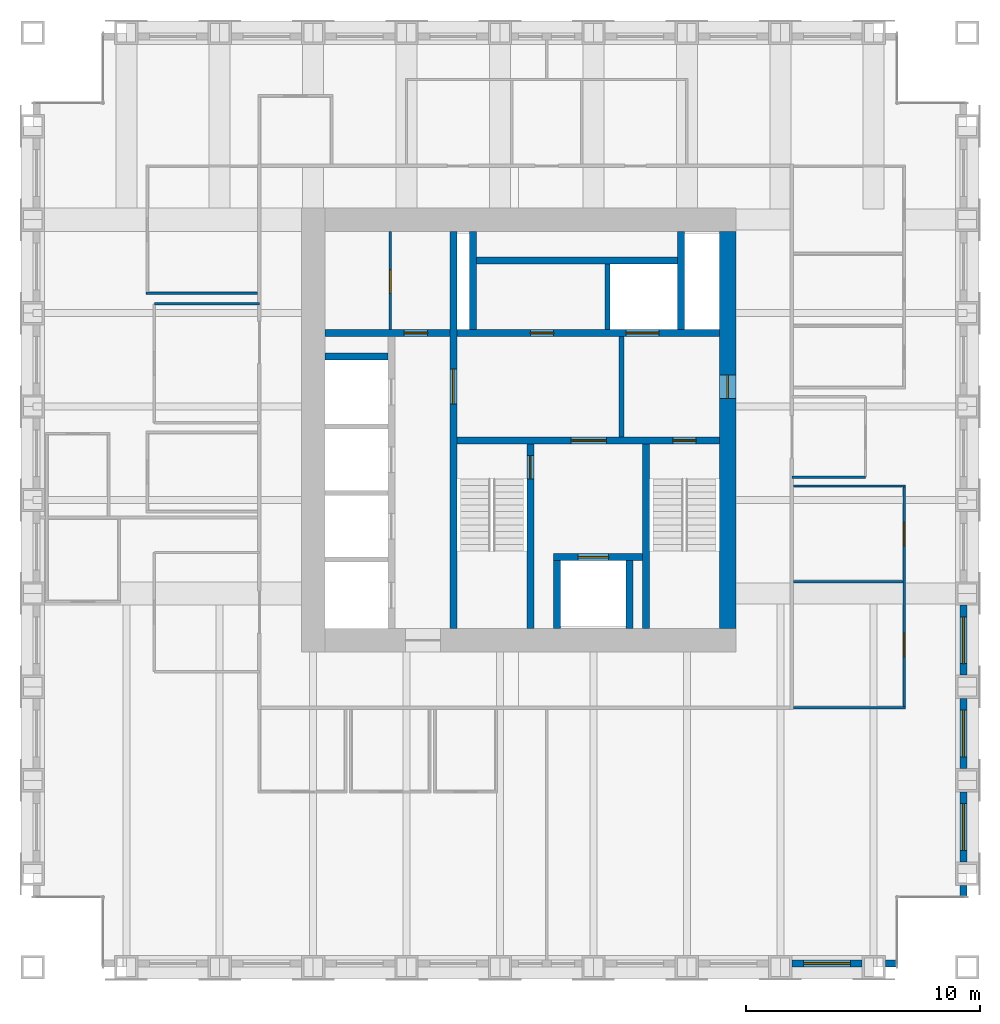
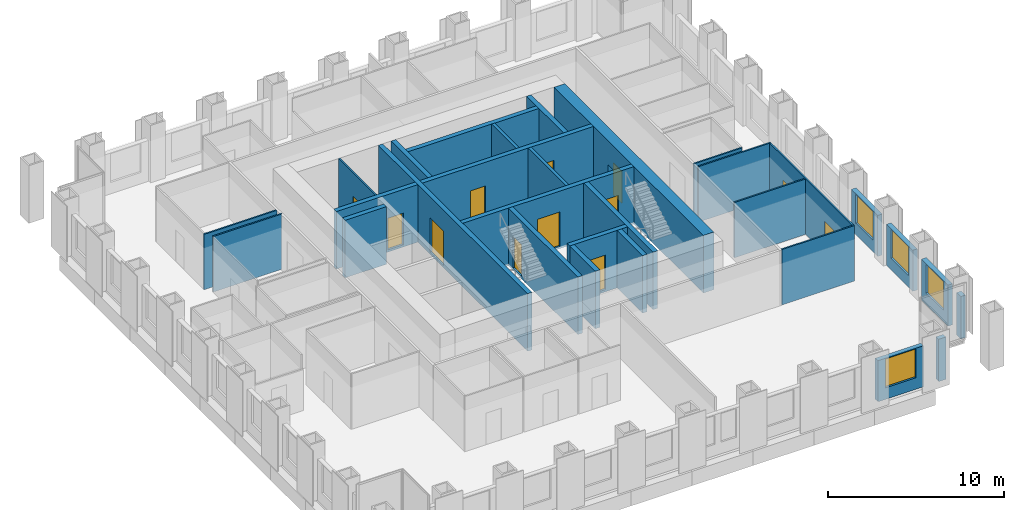
# One storey, part 9 of 13: 30 walls, 12 doors, 4 windows, 16 openings.
"""IFC4 building model written with IfcOpenShell, lengths in metres."""

from ifc_helpers import new_model, si_unit, direction, frame, frame_2d, origin, place, context, subcontext, project, spatial, rectangle, extrude, material, layer, layer_set, type_object, element, fill, save


model = new_model("IFC4")

# Units and contexts
model_context = context("Model", 3, precision=1e-05, world=origin(), true_north=direction((0.0, 1.0)))
body_context = subcontext(model_context, "Body", "Model", "MODEL_VIEW")
ifc_project = project(units=[si_unit("LENGTHUNIT", "METRE"), si_unit("AREAUNIT", "SQUARE_METRE"), si_unit("VOLUMEUNIT", "CUBIC_METRE"), si_unit("PLANEANGLEUNIT", "RADIAN"), si_unit("MASSUNIT", "GRAM", prefix="KILO")], contexts=[model_context])

# Site, building, storey
site_placement = place(None, origin())
site = spatial("IfcSite", under=ifc_project, at=site_placement, CompositionType="ELEMENT")
building_placement = place(site_placement, origin())
building = spatial("IfcBuilding", under=site, at=building_placement, Name="Rimbunsela Tower", CompositionType="ELEMENT")
storey_placement = place(building_placement, frame((0.0, 0.0, 290.199951171875)))
storey = spatial("IfcBuildingStorey", under=building, at=storey_placement, Name="L70", CompositionType="ELEMENT", Elevation=290.199951171875)

# Wall, opening, door
ifc_material_1 = material(Name="Concrete fc' 80 MPa", Category="concrete")
ifc_layer_1 = layer(ifc_material_1, 0.300048828125)
ifc_layer_set_1 = layer_set([ifc_layer_1], Name="Core internal wall 300")
wall_type_1 = type_object("IfcWallType", Name="Core internal wall 300", PredefinedType="SHEAR", material=ifc_layer_set_1)
wall_1_placement = place(storey_placement, frame((24.0, 18.5, -0.14990234375), z_axis=(0.0, 0.0, 1.0), x_axis=(0.0, 1.0, 0.0)))
wall_1 = element("IfcWall", 1, at=wall_1_placement, inside=storey, type_object=wall_type_1, Name="Core wall at stair A", PredefinedType="SHEAR", context=body_context, shape_type="SweptSolid", body=[
    extrude(rectangle(XDim=17.0, YDim=0.300048828125, at=frame_2d((8.5, 0.0))), origin(), (0.0, 0.0, 1.0), 4.0),
])
opening_1_placement = place(wall_1_placement, frame((9.60009765625, 0.0, 0.14990234375)))
opening_1 = element("IfcOpeningElement", 2, at=opening_1_placement, cuts=wall_1, Name="Opening D03", PredefinedType="OPENING", context=body_context, shape_type="SweptSolid", body=[
    extrude(rectangle(XDim=1.5, YDim=2.39990234375, at=frame_2d((0.75, 1.199951171875))), frame((0.0, 0.159912109375, 0.0), z_axis=(0.0, -1.0, 0.0), x_axis=(1.0, 0.0, 0.0)), (0.0, 0.0, 1.0), 0.320068359375),
])
ifc_material_2 = material(Name="Steel door, fire rated", Category="steel")
door_type_1 = type_object("IfcDoorType", Name="Core lobby door 1500", OperationType="DOUBLE_DOOR_DOUBLE_SWING", PredefinedType="DOOR", material=ifc_material_2)
door_1_placement = place(opening_1_placement, origin())
door_1 = element("IfcDoor", 3, at=door_1_placement, inside=storey, type_object=door_type_1, Name="West lobby door", OperationType="DOUBLE_DOOR_DOUBLE_SWING", OverallHeight=2.39990234375, OverallWidth=1.5, PredefinedType="DOOR", context=body_context, shape_type="SweptSolid", body=[
    extrude(rectangle(XDim=1.5, YDim=2.39990234375, at=frame_2d((0.75, 1.199951171875))), frame((0.0, 0.02490234375, 0.0), z_axis=(0.0, -1.0, 0.0), x_axis=(1.0, 0.0, 0.0)), (0.0, 0.0, 1.0), 0.050048828125),
])
fill(opening_1, door_1)

# Wall, openings, doors
wall_2_placement = place(storey_placement, frame((24.14990234375, 26.550048828125, -0.14990234375), z_axis=(0.0, 0.0, 1.0), x_axis=(1.0, 0.0, 0.0)))
wall_2 = element("IfcWall", 4, at=wall_2_placement, inside=storey, type_object=wall_type_1, Name="Core wall lobby south", PredefinedType="SHEAR", context=body_context, shape_type="SweptSolid", body=[
    extrude(rectangle(XDim=11.25, YDim=0.300048828125, at=frame_2d((5.625, 0.0))), origin(), (0.0, 0.0, 1.0), 4.0),
])
opening_2_placement = place(wall_2_placement, frame((9.25, 0.0, 0.14990234375)))
opening_2 = element("IfcOpeningElement", 5, at=opening_2_placement, cuts=wall_2, Name="Opening D01", PredefinedType="OPENING", context=body_context, shape_type="SweptSolid", body=[
    extrude(rectangle(XDim=1.0, YDim=2.199951171875, at=frame_2d((0.5, 1.10009765625))), frame((0.0, 0.159912109375, 0.0), z_axis=(0.0, -1.0, 0.0), x_axis=(1.0, 0.0, 0.0)), (0.0, 0.0, 1.0), 0.320068359375),
])
opening_3_placement = place(wall_2_placement, frame((4.89990234375, 0.0, 0.14990234375)))
opening_3 = element("IfcOpeningElement", 6, at=opening_3_placement, cuts=wall_2, Name="Opening D03", PredefinedType="OPENING", context=body_context, shape_type="SweptSolid", body=[
    extrude(rectangle(XDim=1.5, YDim=2.39990234375, at=frame_2d((0.75, 1.199951171875))), frame((0.0, 0.159912109375, 0.0), z_axis=(0.0, -1.0, 0.0), x_axis=(1.0, 0.0, 0.0)), (0.0, 0.0, 1.0), 0.320068359375),
])
door_2_placement = place(opening_3_placement, origin())
door_2 = element("IfcDoor", 7, at=door_2_placement, inside=storey, type_object=door_type_1, Name="Firefighting lobby door", OperationType="DOUBLE_DOOR_DOUBLE_SWING", OverallHeight=2.39990234375, OverallWidth=1.5, PredefinedType="DOOR", context=body_context, shape_type="SweptSolid", body=[
    extrude(rectangle(XDim=1.5, YDim=2.39990234375, at=frame_2d((0.75, 1.199951171875))), frame((0.0, 0.02490234375, 0.0), z_axis=(0.0, -1.0, 0.0), x_axis=(1.0, 0.0, 0.0)), (0.0, 0.0, 1.0), 0.050048828125),
])
fill(opening_3, door_2)
ifc_material_3 = material(Name="Steel door, fire rated", Category="steel")
door_type_2 = type_object("IfcDoorType", Name="Stair door 1000", OperationType="SINGLE_SWING_RIGHT", PredefinedType="DOOR", material=ifc_material_3)
door_3_placement = place(opening_2_placement, frame((1.0, 0.0, 0.0), z_axis=(0.0, 0.0, 1.0), x_axis=(-1.0, 0.0, 0.0)))
door_3 = element("IfcDoor", 8, at=door_3_placement, inside=storey, type_object=door_type_2, Name="Stair B door", OperationType="SINGLE_SWING_RIGHT", OverallHeight=2.199951171875, OverallWidth=1.0, PredefinedType="DOOR", context=body_context, shape_type="SweptSolid", body=[
    extrude(rectangle(XDim=1.0, YDim=2.199951171875, at=frame_2d((0.5, 1.10009765625))), frame((0.0, 0.02490234375, 0.0), z_axis=(0.0, -1.0, 0.0), x_axis=(1.0, 0.0, 0.0)), (0.0, 0.0, 1.0), 0.050048828125),
])
fill(opening_2, door_3)

# Wall, opening, door
wall_3_placement = place(storey_placement, frame((27.300048828125, 18.5, -0.14990234375), z_axis=(0.0, 0.0, 1.0), x_axis=(0.0, 1.0, 0.0)))
wall_3 = element("IfcWall", 9, at=wall_3_placement, inside=storey, type_object=wall_type_1, Name="Stair A enclosure", PredefinedType="SHEAR", context=body_context, shape_type="SweptSolid", body=[
    extrude(rectangle(XDim=7.89990234375, YDim=0.300048828125, at=frame_2d((3.949951171875, 0.0))), origin(), (0.0, 0.0, 1.0), 4.0),
])
opening_4_placement = place(wall_3_placement, frame((6.39990234375, 0.0, 0.14990234375)))
opening_4 = element("IfcOpeningElement", 10, at=opening_4_placement, cuts=wall_3, Name="Opening D01", PredefinedType="OPENING", context=body_context, shape_type="SweptSolid", body=[
    extrude(rectangle(XDim=1.0, YDim=2.199951171875, at=frame_2d((0.5, 1.10009765625))), frame((0.0, 0.159912109375, 0.0), z_axis=(0.0, -1.0, 0.0), x_axis=(1.0, 0.0, 0.0)), (0.0, 0.0, 1.0), 0.320068359375),
])
door_4_placement = place(opening_4_placement, origin())
door_4 = element("IfcDoor", 11, at=door_4_placement, inside=storey, type_object=door_type_2, Name="Stair A door", OperationType="SINGLE_SWING_RIGHT", OverallHeight=2.199951171875, OverallWidth=1.0, PredefinedType="DOOR", context=body_context, shape_type="SweptSolid", body=[
    extrude(rectangle(XDim=1.0, YDim=2.199951171875, at=frame_2d((0.5, 1.10009765625))), frame((0.0, 0.02490234375, 0.0), z_axis=(0.0, -1.0, 0.0), x_axis=(1.0, 0.0, 0.0)), (0.0, 0.0, 1.0), 0.050048828125),
])
fill(opening_4, door_4)

# Walls
wall_4_placement = place(storey_placement, frame((32.25, 18.5, -0.14990234375), z_axis=(0.0, 0.0, 1.0), x_axis=(0.0, 1.0, 0.0)))
element("IfcWall", 12, at=wall_4_placement, inside=storey, type_object=wall_type_1, Name="Stair B enclosure", PredefinedType="SHEAR", context=body_context, shape_type="SweptSolid", body=[
    extrude(rectangle(XDim=7.89990234375, YDim=0.300048828125, at=frame_2d((3.949951171875, 0.0))), origin(), (0.0, 0.0, 1.0), 4.0),
])
for number, where, z_axis, x_axis, name in (
    (13, (28.449951171875, 18.5, -0.14990234375), (0.0, 0.0, 1.0), (0.0, 1.0, 0.0), "Firefighting lift shaft west"),
    (14, (31.550048828125, 18.5, -0.14990234375), (0.0, 0.0, 1.0), (0.0, 1.0, 0.0), "Firefighting lift shaft east"),
):
    element("IfcWall", number, at=place(storey_placement, frame(where, z_axis=z_axis, x_axis=x_axis)), inside=storey, type_object=wall_type_1, Name=name, PredefinedType="SHEAR", context=body_context, shape_type="SweptSolid", body=[
        extrude(rectangle(XDim=2.89990234375, YDim=0.300048828125, at=frame_2d((1.449951171875, 0.0))), origin(), (0.0, 0.0, 1.0), 4.0),
    ])

# Wall, opening, door
wall_5_placement = place(storey_placement, frame((28.300048828125, 21.550048828125, -0.14990234375), z_axis=(0.0, 0.0, 1.0), x_axis=(1.0, 0.0, 0.0)))
wall_5 = element("IfcWall", 15, at=wall_5_placement, inside=storey, type_object=wall_type_1, Name="Firefighting lift shaft front", PredefinedType="SHEAR", context=body_context, shape_type="SweptSolid", body=[
    extrude(rectangle(XDim=3.800048828125, YDim=0.300048828125, at=frame_2d((1.89990234375, 0.0))), origin(), (0.0, 0.0, 1.0), 4.0),
])
opening_5_placement = place(wall_5_placement, frame((1.050048828125, 0.0, 0.14990234375)))
opening_5 = element("IfcOpeningElement", 16, at=opening_5_placement, cuts=wall_5, Name="Opening LD2", PredefinedType="OPENING", context=body_context, shape_type="SweptSolid", body=[
    extrude(rectangle(XDim=1.300048828125, YDim=2.39990234375, at=frame_2d((0.64990234375, 1.199951171875))), frame((0.0, 0.159912109375, 0.0), z_axis=(0.0, -1.0, 0.0), x_axis=(1.0, 0.0, 0.0)), (0.0, 0.0, 1.0), 0.320068359375),
])
ifc_material_4 = material(Name="Steel door, fire rated", Category="steel")
door_type_3 = type_object("IfcDoorType", Name="Lift landing door 1300", OperationType="DOUBLE_DOOR_SLIDING", PredefinedType="DOOR", material=ifc_material_4)
door_5_placement = place(opening_5_placement, origin())
door_5 = element("IfcDoor", 17, at=door_5_placement, inside=storey, type_object=door_type_3, Name="Lift landing door FL1", OperationType="DOUBLE_DOOR_SLIDING", OverallHeight=2.39990234375, OverallWidth=1.300048828125, PredefinedType="DOOR", context=body_context, shape_type="SweptSolid", body=[
    extrude(rectangle(XDim=1.300048828125, YDim=2.39990234375, at=frame_2d((0.64990234375, 1.199951171875))), frame((0.0, 0.02490234375, 0.0), z_axis=(0.0, -1.0, 0.0), x_axis=(1.0, 0.0, 0.0)), (0.0, 0.0, 1.0), 0.050048828125),
])
fill(opening_5, door_5)

# Wall, openings, doors
wall_6_placement = place(storey_placement, frame((24.14990234375, 31.14990234375, -0.14990234375), z_axis=(0.0, 0.0, 1.0), x_axis=(1.0, 0.0, 0.0)))
wall_6 = element("IfcWall", 18, at=wall_6_placement, inside=storey, type_object=wall_type_1, Name="Lift shaft front north", PredefinedType="SHEAR", context=body_context, shape_type="SweptSolid", body=[
    extrude(rectangle(XDim=11.25, YDim=0.300048828125, at=frame_2d((5.625, 0.0))), origin(), (0.0, 0.0, 1.0), 4.0),
])
opening_6_placement = place(wall_6_placement, frame((3.14990234375, 0.0, 0.14990234375)))
opening_6 = element("IfcOpeningElement", 19, at=opening_6_placement, cuts=wall_6, Name="Opening D19", PredefinedType="OPENING", context=body_context, shape_type="SweptSolid", body=[
    extrude(rectangle(XDim=1.0, YDim=2.199951171875, at=frame_2d((0.5, 1.10009765625))), frame((0.0, 0.159912109375, 0.0), z_axis=(0.0, -1.0, 0.0), x_axis=(1.0, 0.0, 0.0)), (0.0, 0.0, 1.0), 0.320068359375),
])
opening_7_placement = place(wall_6_placement, frame((7.25, 0.0, 0.14990234375)))
opening_7 = element("IfcOpeningElement", 20, at=opening_7_placement, cuts=wall_6, Name="Opening LD3", PredefinedType="OPENING", context=body_context, shape_type="SweptSolid", body=[
    extrude(rectangle(XDim=1.39990234375, YDim=2.39990234375, at=frame_2d((0.699951171875, 1.199951171875))), frame((0.0, 0.159912109375, 0.0), z_axis=(0.0, -1.0, 0.0), x_axis=(1.0, 0.0, 0.0)), (0.0, 0.0, 1.0), 0.320068359375),
])
ifc_material_5 = material(Name="Steel door, fire rated", Category="steel")
door_type_4 = type_object("IfcDoorType", Name="Lift landing door 1400", OperationType="DOUBLE_DOOR_SLIDING", PredefinedType="DOOR", material=ifc_material_5)
door_6_placement = place(opening_7_placement, origin())
door_6 = element("IfcDoor", 21, at=door_6_placement, inside=storey, type_object=door_type_4, Name="Lift landing door FL2", OperationType="DOUBLE_DOOR_SLIDING", OverallHeight=2.39990234375, OverallWidth=1.39990234375, PredefinedType="DOOR", context=body_context, shape_type="SweptSolid", body=[
    extrude(rectangle(XDim=1.39990234375, YDim=2.39990234375, at=frame_2d((0.699951171875, 1.199951171875))), frame((0.0, 0.02490234375, 0.0), z_axis=(0.0, -1.0, 0.0), x_axis=(1.0, 0.0, 0.0)), (0.0, 0.0, 1.0), 0.050048828125),
])
fill(opening_7, door_6)
ifc_material_6 = material(Name="Steel door, fire rated", Category="steel")
door_type_5 = type_object("IfcDoorType", Name="Service door 1000 fire rated", OperationType="SINGLE_SWING_LEFT", PredefinedType="DOOR", material=ifc_material_6)
door_7_placement = place(opening_6_placement, origin())
door_7 = element("IfcDoor", 22, at=door_7_placement, inside=storey, type_object=door_type_5, Name="Equipment store door", OperationType="SINGLE_SWING_LEFT", OverallHeight=2.199951171875, OverallWidth=1.0, PredefinedType="DOOR", context=body_context, shape_type="SweptSolid", body=[
    extrude(rectangle(XDim=1.0, YDim=2.199951171875, at=frame_2d((0.5, 1.10009765625))), frame((0.0, 0.02490234375, 0.0), z_axis=(0.0, -1.0, 0.0), x_axis=(1.0, 0.0, 0.0)), (0.0, 0.0, 1.0), 0.050048828125),
])
fill(opening_6, door_7)

# Wall, opening, door
wall_7_placement = place(storey_placement, frame((18.5, 31.14990234375, -0.14990234375), z_axis=(0.0, 0.0, 1.0), x_axis=(1.0, 0.0, 0.0)))
wall_7 = element("IfcWall", 23, at=wall_7_placement, inside=storey, type_object=wall_type_1, Name="Store wall", PredefinedType="SHEAR", context=body_context, shape_type="SweptSolid", body=[
    extrude(rectangle(XDim=5.35009765625, YDim=0.300048828125, at=frame_2d((2.675048828125, 0.0))), origin(), (0.0, 0.0, 1.0), 4.0),
])
opening_8_placement = place(wall_7_placement, frame((3.39990234375, 0.0, 0.14990234375)))
opening_8 = element("IfcOpeningElement", 24, at=opening_8_placement, cuts=wall_7, Name="Opening D19", PredefinedType="OPENING", context=body_context, shape_type="SweptSolid", body=[
    extrude(rectangle(XDim=1.0, YDim=2.199951171875, at=frame_2d((0.5, 1.10009765625))), frame((0.0, 0.159912109375, 0.0), z_axis=(0.0, -1.0, 0.0), x_axis=(1.0, 0.0, 0.0)), (0.0, 0.0, 1.0), 0.320068359375),
])
door_8_placement = place(opening_8_placement, origin())
door_8 = element("IfcDoor", 25, at=door_8_placement, inside=storey, type_object=door_type_5, Name="Facilities store door", OperationType="SINGLE_SWING_LEFT", OverallHeight=2.199951171875, OverallWidth=1.0, PredefinedType="DOOR", context=body_context, shape_type="SweptSolid", body=[
    extrude(rectangle(XDim=1.0, YDim=2.199951171875, at=frame_2d((0.5, 1.10009765625))), frame((0.0, 0.02490234375, 0.0), z_axis=(0.0, -1.0, 0.0), x_axis=(1.0, 0.0, 0.0)), (0.0, 0.0, 1.0), 0.050048828125),
])
fill(opening_8, door_8)

# Walls
wall_8_placement = place(storey_placement, frame((18.5, 30.14990234375, -0.14990234375), z_axis=(0.0, 0.0, 1.0), x_axis=(1.0, 0.0, 0.0)))
element("IfcWall", 26, at=wall_8_placement, inside=storey, type_object=wall_type_1, Name="Lift shaft rear west", PredefinedType="SHEAR", context=body_context, shape_type="SweptSolid", body=[
    extrude(rectangle(XDim=2.699951171875, YDim=0.300048828125, at=frame_2d((1.35009765625, 0.0))), origin(), (0.0, 0.0, 1.0), 4.0),
])
for number, where, z_axis, x_axis, name in (
    (27, (24.85009765625, 31.300048828125, -0.14990234375), (0.0, 0.0, 1.0), (0.0, 1.0, 0.0), "Riser wall"),
    (28, (33.75, 31.300048828125, -0.14990234375), (0.0, 0.0, 1.0), (0.0, 1.0, 0.0), "Riser wall"),
):
    element("IfcWall", number, at=place(storey_placement, frame(where, z_axis=z_axis, x_axis=x_axis)), inside=storey, type_object=wall_type_1, Name=name, PredefinedType="SHEAR", context=body_context, shape_type="SweptSolid", body=[
        extrude(rectangle(XDim=4.199951171875, YDim=0.300048828125, at=frame_2d((2.10009765625, 0.0))), origin(), (0.0, 0.0, 1.0), 4.0),
    ])
wall_9_placement = place(storey_placement, frame((25.0, 34.25, -0.14990234375), z_axis=(0.0, 0.0, 1.0), x_axis=(1.0, 0.0, 0.0)))
element("IfcWall", 29, at=wall_9_placement, inside=storey, type_object=wall_type_1, Name="Lift shaft rear north", PredefinedType="SHEAR", context=body_context, shape_type="SweptSolid", body=[
    extrude(rectangle(XDim=8.60009765625, YDim=0.300048828125, at=frame_2d((4.300048828125, 0.0))), origin(), (0.0, 0.0, 1.0), 4.0),
])

# Wall, opening, door
ifc_material_7 = material(Name="Concrete blockwork", Category="masonry")
ifc_layer_2 = layer(ifc_material_7, 0.10009765625)
ifc_layer_set_2 = layer_set([ifc_layer_2], Name="Core room partition 100")
wall_type_2 = type_object("IfcWallType", Name="Core room partition 100", PredefinedType="PARTITIONING", material=ifc_layer_set_2)
wall_10_placement = place(storey_placement, frame((21.300048828125, 31.300048828125, 0.0), z_axis=(0.0, 0.0, 1.0), x_axis=(0.0, 1.0, 0.0)))
wall_10 = element("IfcWall", 30, at=wall_10_placement, inside=storey, type_object=wall_type_2, Name="Housekeeping store wall", PredefinedType="PARTITIONING", context=body_context, shape_type="SweptSolid", body=[
    extrude(rectangle(XDim=4.199951171875, YDim=0.10009765625, at=frame_2d((2.10009765625, 0.0))), origin(), (0.0, 0.0, 1.0), 3.85009765625),
])
opening_9_placement = place(wall_10_placement, frame((1.550048828125, 0.0, 0.0)))
opening_9 = element("IfcOpeningElement", 31, at=opening_9_placement, cuts=wall_10, Name="Opening D19", PredefinedType="OPENING", context=body_context, shape_type="SweptSolid", body=[
    extrude(rectangle(XDim=1.0, YDim=2.199951171875, at=frame_2d((0.5, 1.10009765625))), frame((0.0, 0.06005859375, 0.0), z_axis=(0.0, -1.0, 0.0), x_axis=(1.0, 0.0, 0.0)), (0.0, 0.0, 1.0), 0.1201171875),
])
door_9_placement = place(opening_9_placement, origin())
door_9 = element("IfcDoor", 32, at=door_9_placement, inside=storey, type_object=door_type_5, Name="Housekeeping store door", OperationType="SINGLE_SWING_LEFT", OverallHeight=2.199951171875, OverallWidth=1.0, PredefinedType="DOOR", context=body_context, shape_type="SweptSolid", body=[
    extrude(rectangle(XDim=1.0, YDim=2.199951171875, at=frame_2d((0.5, 1.10009765625))), frame((0.0, 0.02490234375, 0.0), z_axis=(0.0, -1.0, 0.0), x_axis=(1.0, 0.0, 0.0)), (0.0, 0.0, 1.0), 0.050048828125),
])
fill(opening_9, door_9)

ifc_material_8 = material(Name="Concrete fc' 80 MPa", Category="concrete")
ifc_layer_3 = layer(ifc_material_8, 0.699951171875)
ifc_layer_set_3 = layer_set([ifc_layer_3], Name="Core wall 700 east")
wall_type_3 = type_object("IfcWallType", Name="Core wall 700 east", PredefinedType="SHEAR", material=ifc_layer_set_3)
wall_11_placement = place(storey_placement, frame((35.75, 18.5, -0.14990234375), z_axis=(0.0, 0.0, 1.0), x_axis=(0.0, 1.0, 0.0)))
wall_11 = element("IfcWall", 33, at=wall_11_placement, inside=storey, type_object=wall_type_3, Name="Core wall east", PredefinedType="SHEAR", context=body_context, shape_type="SweptSolid", body=[
    extrude(rectangle(XDim=17.0, YDim=0.699951171875, at=frame_2d((8.5, 0.0))), origin(), (0.0, 0.0, 1.0), 4.0),
])
opening_10_placement = place(wall_11_placement, frame((9.85009765625, 0.0, 0.14990234375)))
opening_10 = element("IfcOpeningElement", 34, at=opening_10_placement, cuts=wall_11, Name="Opening D01", PredefinedType="OPENING", context=body_context, shape_type="SweptSolid", body=[
    extrude(rectangle(XDim=1.0, YDim=2.199951171875, at=frame_2d((0.5, 1.10009765625))), frame((0.0, 0.35986328125, 0.0), z_axis=(0.0, -1.0, 0.0), x_axis=(1.0, 0.0, 0.0)), (0.0, 0.0, 1.0), 0.719970703125),
])
door_10_placement = place(opening_10_placement, origin())
door_10 = element("IfcDoor", 35, at=door_10_placement, inside=storey, type_object=door_type_2, Name="Firefighting lobby 2 door", OperationType="SINGLE_SWING_RIGHT", OverallHeight=2.199951171875, OverallWidth=1.0, PredefinedType="DOOR", context=body_context, shape_type="SweptSolid", body=[
    extrude(rectangle(XDim=1.0, YDim=2.199951171875, at=frame_2d((0.5, 1.10009765625))), frame((0.0, 0.02490234375, 0.0), z_axis=(0.0, -1.0, 0.0), x_axis=(1.0, 0.0, 0.0)), (0.0, 0.0, 1.0), 0.050048828125),
])
fill(opening_10, door_10)

# Walls
ifc_material_9 = material(Name="Concrete blockwork", Category="masonry")
ifc_layer_4 = layer(ifc_material_9, 0.199951171875)
ifc_layer_set_4 = layer_set([ifc_layer_4], Name="Lift shaft wall 200")
wall_type_4 = type_object("IfcWallType", Name="Lift shaft wall 200", PredefinedType="SOLIDWALL", material=ifc_layer_set_4)
wall_12_placement = place(storey_placement, frame((30.60009765625, 31.300048828125, -0.14990234375), z_axis=(0.0, 0.0, 1.0), x_axis=(0.0, 1.0, 0.0)))
element("IfcWall", 36, at=wall_12_placement, inside=storey, type_object=wall_type_4, Name="Lift shaft separation", PredefinedType="SOLIDWALL", context=body_context, shape_type="SweptSolid", body=[
    extrude(rectangle(XDim=2.800048828125, YDim=0.199951171875, at=frame_2d((1.39990234375, 0.0))), origin(), (0.0, 0.0, 1.0), 4.0),
])
wall_13_placement = place(storey_placement, frame((31.199951171875, 26.699951171875, 0.0), z_axis=(0.0, 0.0, 1.0), x_axis=(0.0, 1.0, 0.0)))
element("IfcWall", 37, at=wall_13_placement, inside=storey, type_object=wall_type_4, Name="Firefighting lobby 2 wall", PredefinedType="SOLIDWALL", context=body_context, shape_type="SweptSolid", body=[
    extrude(rectangle(XDim=4.300048828125, YDim=0.199951171875, at=frame_2d((2.14990234375, 0.0))), origin(), (0.0, 0.0, 1.0), 3.85009765625),
])
ifc_material_10 = material(Name="Gypsum board on steel studs", Category="steel")
ifc_layer_5 = layer(ifc_material_10, 0.10009765625)
ifc_layer_set_5 = layer_set([ifc_layer_5], Name="Office partition 100")
wall_type_5 = type_object("IfcWallType", Name="Office partition 100", PredefinedType="PARTITIONING", material=ifc_layer_set_5)
wall_14_placement = place(storey_placement, frame((38.574951171875, 15.10009765625, 0.0), z_axis=(0.0, 0.0, 1.0), x_axis=(1.0, 0.0, 0.0)))
element("IfcWall", 38, at=wall_14_placement, inside=storey, type_object=wall_type_5, Name="Office partition", PredefinedType="PARTITIONING", context=body_context, shape_type="SweptSolid", body=[
    extrude(rectangle(XDim=4.775146484375, YDim=0.10009765625, at=frame_2d((2.3876953125, 0.0))), origin(), (0.0, 0.0, 1.0), 3.85009765625),
])
wall_15_placement = place(storey_placement, frame((38.574951171875, 20.5, 0.0), z_axis=(0.0, 0.0, 1.0), x_axis=(1.0, 0.0, 0.0)))
element("IfcWall", 39, at=wall_15_placement, inside=storey, type_object=wall_type_5, Name="Office partition", PredefinedType="PARTITIONING", context=body_context, shape_type="SweptSolid", body=[
    extrude(rectangle(XDim=4.675048828125, YDim=0.10009765625, at=frame_2d((2.33740234375, 0.0))), origin(), (0.0, 0.0, 1.0), 3.85009765625),
])
wall_16_placement = place(storey_placement, frame((38.574951171875, 24.60009765625, 0.0), z_axis=(0.0, 0.0, 1.0), x_axis=(1.0, 0.0, 0.0)))
element("IfcWall", 40, at=wall_16_placement, inside=storey, type_object=wall_type_5, Name="Office partition", PredefinedType="PARTITIONING", context=body_context, shape_type="SweptSolid", body=[
    extrude(rectangle(XDim=4.775146484375, YDim=0.10009765625, at=frame_2d((2.3876953125, 0.0))), origin(), (0.0, 0.0, 1.0), 3.85009765625),
])
wall_17_placement = place(storey_placement, frame((10.85009765625, 32.85009765625, 0.0), z_axis=(0.0, 0.0, 1.0), x_axis=(1.0, 0.0, 0.0)))
element("IfcWall", 41, at=wall_17_placement, inside=storey, type_object=wall_type_5, Name="Office partition", PredefinedType="PARTITIONING", context=body_context, shape_type="SweptSolid", body=[
    extrude(rectangle(XDim=4.77490234375, YDim=0.10009765625, at=frame_2d((2.387451171875, 0.0))), origin(), (0.0, 0.0, 1.0), 3.85009765625),
])

# Wall, openings, doors
wall_18_placement = place(storey_placement, frame((43.300048828125, 15.14990234375, 0.0), z_axis=(0.0, 0.0, 1.0), x_axis=(0.0, 1.0, 0.0)))
wall_18 = element("IfcWall", 42, at=wall_18_placement, inside=storey, type_object=wall_type_5, Name="Office partition", PredefinedType="PARTITIONING", context=body_context, shape_type="SweptSolid", body=[
    extrude(rectangle(XDim=9.400146484375, YDim=0.10009765625, at=frame_2d((4.7001953125, 0.0))), origin(), (0.0, 0.0, 1.0), 3.85009765625),
])
opening_11_placement = place(wall_18_placement, frame((2.14990234375, 0.0, 0.0)))
opening_11 = element("IfcOpeningElement", 43, at=opening_11_placement, cuts=wall_18, Name="Opening D17", PredefinedType="OPENING", context=body_context, shape_type="SweptSolid", body=[
    extrude(rectangle(XDim=1.0, YDim=2.199951171875, at=frame_2d((0.5, 1.10009765625))), frame((0.0, 0.06005859375, 0.0), z_axis=(0.0, -1.0, 0.0), x_axis=(1.0, 0.0, 0.0)), (0.0, 0.0, 1.0), 0.1201171875),
])
opening_12_placement = place(wall_18_placement, frame((6.89990234375, 0.0, 0.0)))
opening_12 = element("IfcOpeningElement", 44, at=opening_12_placement, cuts=wall_18, Name="Opening D16", PredefinedType="OPENING", context=body_context, shape_type="SweptSolid", body=[
    extrude(rectangle(XDim=1.0, YDim=2.199951171875, at=frame_2d((0.5, 1.10009765625))), frame((0.0, 0.06005859375, 0.0), z_axis=(0.0, -1.0, 0.0), x_axis=(1.0, 0.0, 0.0)), (0.0, 0.0, 1.0), 0.1201171875),
])
ifc_material_11 = material(Name="Glazed aluminium door", Category="aluminium")
door_type_6 = type_object("IfcDoorType", Name="Meeting room door 1000 glazed", OperationType="SINGLE_SWING_RIGHT", PredefinedType="DOOR", material=ifc_material_11)
door_11_placement = place(opening_11_placement, origin())
door_11 = element("IfcDoor", 45, at=door_11_placement, inside=storey, type_object=door_type_6, Name="Meeting room door", OperationType="SINGLE_SWING_RIGHT", OverallHeight=2.199951171875, OverallWidth=1.0, PredefinedType="DOOR", context=body_context, shape_type="SweptSolid", body=[
    extrude(rectangle(XDim=1.0, YDim=2.199951171875, at=frame_2d((0.5, 1.10009765625))), frame((0.0, 0.02490234375, 0.0), z_axis=(0.0, -1.0, 0.0), x_axis=(1.0, 0.0, 0.0)), (0.0, 0.0, 1.0), 0.050048828125),
])
fill(opening_11, door_11)
ifc_material_12 = material(Name="Timber door", Category="wood")
door_type_7 = type_object("IfcDoorType", Name="Office door 1000", OperationType="SINGLE_SWING_LEFT", PredefinedType="DOOR", material=ifc_material_12)
door_12_placement = place(opening_12_placement, origin())
door_12 = element("IfcDoor", 46, at=door_12_placement, inside=storey, type_object=door_type_7, Name="Office door", OperationType="SINGLE_SWING_LEFT", OverallHeight=2.199951171875, OverallWidth=1.0, PredefinedType="DOOR", context=body_context, shape_type="SweptSolid", body=[
    extrude(rectangle(XDim=1.0, YDim=2.199951171875, at=frame_2d((0.5, 1.10009765625))), frame((0.0, 0.02490234375, 0.0), z_axis=(0.0, -1.0, 0.0), x_axis=(1.0, 0.0, 0.0)), (0.0, 0.0, 1.0), 0.050048828125),
])
fill(opening_12, door_12)

# Walls
wall_19_placement = place(storey_placement, frame((15.699951171875, 32.39990234375, 0.0), z_axis=(0.0, 0.0, 1.0), x_axis=(-1.0, 0.0, 0.0)))
element("IfcWall", 47, at=wall_19_placement, inside=storey, type_object=wall_type_5, Name="Office partition", PredefinedType="PARTITIONING", context=body_context, shape_type="SweptSolid", body=[
    extrude(rectangle(XDim=4.5, YDim=0.10009765625, at=frame_2d((2.25, 0.0))), origin(), (0.0, 0.0, 1.0), 3.85009765625),
])
wall_20_placement = place(storey_placement, frame((38.5, 24.97509765625, 0.0), z_axis=(0.0, 0.0, 1.0), x_axis=(1.0, 0.0, 0.0)))
element("IfcWall", 48, at=wall_20_placement, inside=storey, type_object=wall_type_5, Name="Office partition", PredefinedType="PARTITIONING", context=body_context, shape_type="SweptSolid", body=[
    extrude(rectangle(XDim=3.14990234375, YDim=0.10009765625, at=frame_2d((1.574951171875, 0.0))), origin(), (0.0, 0.0, 1.0), 3.85009765625),
])

# Wall, opening, window
ifc_material_13 = material(Name="Precast concrete fc' 35 MPa", Category="concrete")
ifc_layer_6 = layer(ifc_material_13, 0.300048828125)
ifc_layer_set_6 = layer_set([ifc_layer_6], Name="Precast concrete fc' 35 MPa")
wall_type_6 = type_object("IfcWallType", Name="Precast facade panel 300", PredefinedType="ELEMENTEDWALL", material=ifc_layer_set_6)
wall_21_placement = place(storey_placement, frame((38.5, 4.14990234375, 0.0), z_axis=(0.0, 0.0, 1.0), x_axis=(1.0, 0.0, 0.0)))
wall_21 = element("IfcWall", 49, at=wall_21_placement, inside=storey, type_object=wall_type_6, Name="Facade panel S L70", PredefinedType="ELEMENTEDWALL", context=body_context, shape_type="SweptSolid", body=[
    extrude(rectangle(XDim=3.0, YDim=0.300048828125, at=frame_2d((1.5, 0.0))), origin(), (0.0, 0.0, 1.0), 2.85009765625),
])
opening_13_placement = place(wall_21_placement, frame((0.5, 0.0, 0.800048828125)))
opening_13 = element("IfcOpeningElement", 50, at=opening_13_placement, cuts=wall_21, Name="Opening W1", PredefinedType="OPENING", context=body_context, shape_type="SweptSolid", body=[
    extrude(rectangle(XDim=2.0, YDim=2.0, at=frame_2d((1.0, 1.0))), frame((0.0, 0.159912109375, 0.0), z_axis=(0.0, -1.0, 0.0), x_axis=(1.0, 0.0, 0.0)), (0.0, 0.0, 1.0), 0.320068359375),
])
ifc_material_14 = material(Name="Clear glass in aluminium frame", Category="aluminium")
window_type = type_object("IfcWindowType", Name="Window W1 2000x2000", PartitioningType="DOUBLE_PANEL_VERTICAL", PredefinedType="WINDOW", material=ifc_material_14)
window_1_placement = place(opening_13_placement, origin())
window_1 = element("IfcWindow", 51, at=window_1_placement, inside=storey, type_object=window_type, Name="Window L70", OverallHeight=2.0, OverallWidth=2.0, PartitioningType="SINGLE_PANEL", PredefinedType="WINDOW", context=body_context, shape_type="SweptSolid", body=[
    extrude(rectangle(XDim=2.0, YDim=2.0, at=frame_2d((1.0, 1.0))), frame((0.0, 0.030029296875, 0.0), z_axis=(0.0, -1.0, 0.0), x_axis=(1.0, 0.0, 0.0)), (0.0, 0.0, 1.0), 0.06005859375),
])
fill(opening_13, window_1)

# Walls
for number, where, z_axis, x_axis, name in (
    (52, (42.5, 4.14990234375, 0.0), (0.0, 0.0, 1.0), (1.0, 0.0, 0.0), "Facade panel S L70"),
    (53, (45.85009765625, 7.030029296875, 0.0), (0.0, 0.0, 1.0), (0.0, 1.0, 0.0), "Facade panel E L70"),
):
    element("IfcWall", number, at=place(storey_placement, frame(where, z_axis=z_axis, x_axis=x_axis)), inside=storey, type_object=wall_type_6, Name=name, PredefinedType="ELEMENTEDWALL", context=body_context, shape_type="SweptSolid", body=[
        extrude(rectangle(XDim=0.469970703125, YDim=0.300048828125, at=frame_2d((0.23486328125, 0.0))), origin(), (0.0, 0.0, 1.0), 2.949951171875),
    ])

# Wall, opening, window
wall_22_placement = place(storey_placement, frame((45.85009765625, 8.5, 0.0), z_axis=(0.0, 0.0, 1.0), x_axis=(0.0, 1.0, 0.0)))
wall_22 = element("IfcWall", 54, at=wall_22_placement, inside=storey, type_object=wall_type_6, Name="Facade panel E L70", PredefinedType="ELEMENTEDWALL", context=body_context, shape_type="SweptSolid", body=[
    extrude(rectangle(XDim=3.0, YDim=0.300048828125, at=frame_2d((1.5, 0.0))), origin(), (0.0, 0.0, 1.0), 2.85009765625),
])
opening_14_placement = place(wall_22_placement, frame((0.5, 0.0, 0.800048828125)))
opening_14 = element("IfcOpeningElement", 55, at=opening_14_placement, cuts=wall_22, Name="Opening W1", PredefinedType="OPENING", context=body_context, shape_type="SweptSolid", body=[
    extrude(rectangle(XDim=2.0, YDim=2.0, at=frame_2d((1.0, 1.0))), frame((0.0, 0.159912109375, 0.0), z_axis=(0.0, -1.0, 0.0), x_axis=(1.0, 0.0, 0.0)), (0.0, 0.0, 1.0), 0.320068359375),
])
window_2_placement = place(opening_14_placement, origin())
window_2 = element("IfcWindow", 56, at=window_2_placement, inside=storey, type_object=window_type, Name="Window L70", OverallHeight=2.0, OverallWidth=2.0, PartitioningType="SINGLE_PANEL", PredefinedType="WINDOW", context=body_context, shape_type="SweptSolid", body=[
    extrude(rectangle(XDim=2.0, YDim=2.0, at=frame_2d((1.0, 1.0))), frame((0.0, 0.030029296875, 0.0), z_axis=(0.0, -1.0, 0.0), x_axis=(1.0, 0.0, 0.0)), (0.0, 0.0, 1.0), 0.06005859375),
])
fill(opening_14, window_2)

wall_23_placement = place(storey_placement, frame((45.85009765625, 12.5, 0.0), z_axis=(0.0, 0.0, 1.0), x_axis=(0.0, 1.0, 0.0)))
wall_23 = element("IfcWall", 57, at=wall_23_placement, inside=storey, type_object=wall_type_6, Name="Facade panel E L70", PredefinedType="ELEMENTEDWALL", context=body_context, shape_type="SweptSolid", body=[
    extrude(rectangle(XDim=3.0, YDim=0.300048828125, at=frame_2d((1.5, 0.0))), origin(), (0.0, 0.0, 1.0), 2.85009765625),
])
opening_15_placement = place(wall_23_placement, frame((0.5, 0.0, 0.800048828125)))
opening_15 = element("IfcOpeningElement", 58, at=opening_15_placement, cuts=wall_23, Name="Opening W1", PredefinedType="OPENING", context=body_context, shape_type="SweptSolid", body=[
    extrude(rectangle(XDim=2.0, YDim=2.0, at=frame_2d((1.0, 1.0))), frame((0.0, 0.159912109375, 0.0), z_axis=(0.0, -1.0, 0.0), x_axis=(1.0, 0.0, 0.0)), (0.0, 0.0, 1.0), 0.320068359375),
])
window_3_placement = place(opening_15_placement, origin())
window_3 = element("IfcWindow", 59, at=window_3_placement, inside=storey, type_object=window_type, Name="Window L70", OverallHeight=2.0, OverallWidth=2.0, PartitioningType="SINGLE_PANEL", PredefinedType="WINDOW", context=body_context, shape_type="SweptSolid", body=[
    extrude(rectangle(XDim=2.0, YDim=2.0, at=frame_2d((1.0, 1.0))), frame((0.0, 0.030029296875, 0.0), z_axis=(0.0, -1.0, 0.0), x_axis=(1.0, 0.0, 0.0)), (0.0, 0.0, 1.0), 0.06005859375),
])
fill(opening_15, window_3)

wall_24_placement = place(storey_placement, frame((45.85009765625, 16.5, 0.0), z_axis=(0.0, 0.0, 1.0), x_axis=(0.0, 1.0, 0.0)))
wall_24 = element("IfcWall", 60, at=wall_24_placement, inside=storey, type_object=wall_type_6, Name="Facade panel E L70", PredefinedType="ELEMENTEDWALL", context=body_context, shape_type="SweptSolid", body=[
    extrude(rectangle(XDim=3.0, YDim=0.300048828125, at=frame_2d((1.5, 0.0))), origin(), (0.0, 0.0, 1.0), 2.85009765625),
])
opening_16_placement = place(wall_24_placement, frame((0.5, 0.0, 0.800048828125)))
opening_16 = element("IfcOpeningElement", 61, at=opening_16_placement, cuts=wall_24, Name="Opening W1", PredefinedType="OPENING", context=body_context, shape_type="SweptSolid", body=[
    extrude(rectangle(XDim=2.0, YDim=2.0, at=frame_2d((1.0, 1.0))), frame((0.0, 0.159912109375, 0.0), z_axis=(0.0, -1.0, 0.0), x_axis=(1.0, 0.0, 0.0)), (0.0, 0.0, 1.0), 0.320068359375),
])
window_4_placement = place(opening_16_placement, origin())
window_4 = element("IfcWindow", 62, at=window_4_placement, inside=storey, type_object=window_type, Name="Window L70", OverallHeight=2.0, OverallWidth=2.0, PartitioningType="SINGLE_PANEL", PredefinedType="WINDOW", context=body_context, shape_type="SweptSolid", body=[
    extrude(rectangle(XDim=2.0, YDim=2.0, at=frame_2d((1.0, 1.0))), frame((0.0, 0.030029296875, 0.0), z_axis=(0.0, -1.0, 0.0), x_axis=(1.0, 0.0, 0.0)), (0.0, 0.0, 1.0), 0.06005859375),
])
fill(opening_16, window_4)

save(model, "model.ifc")
